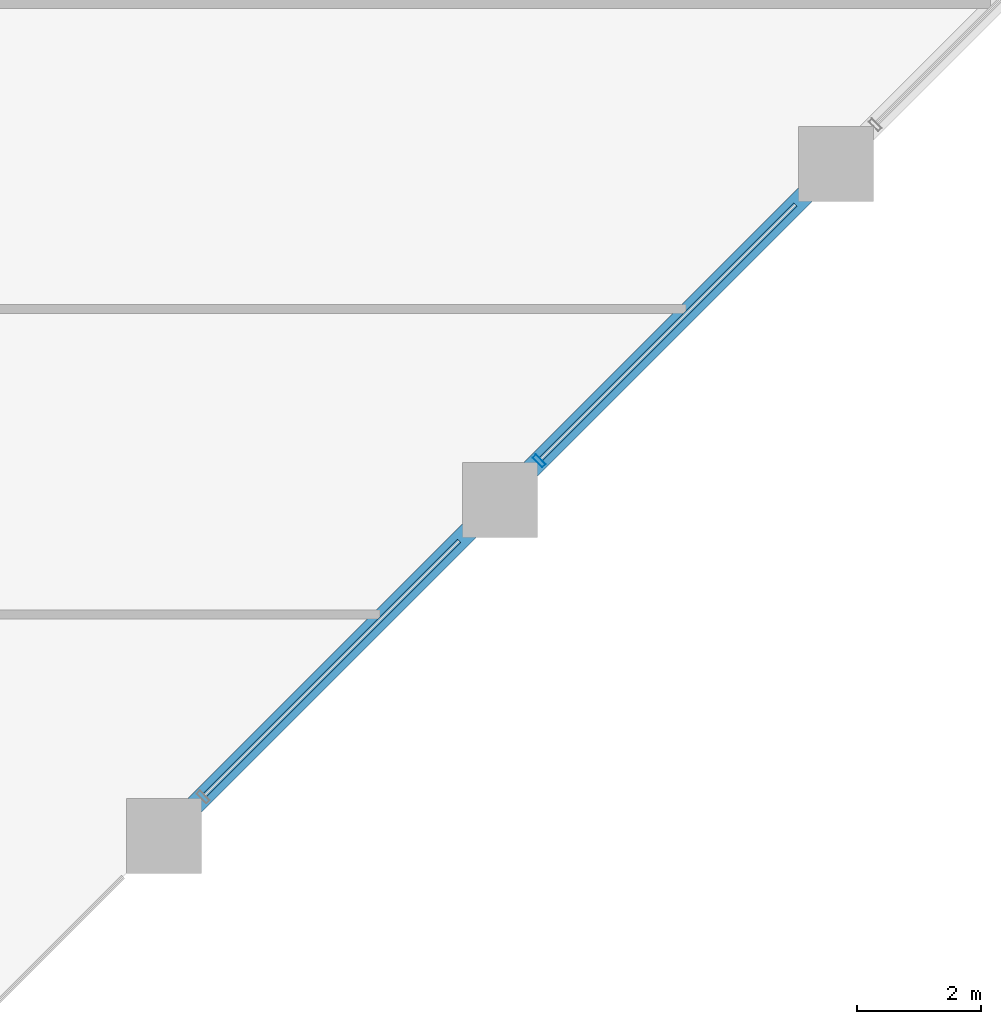
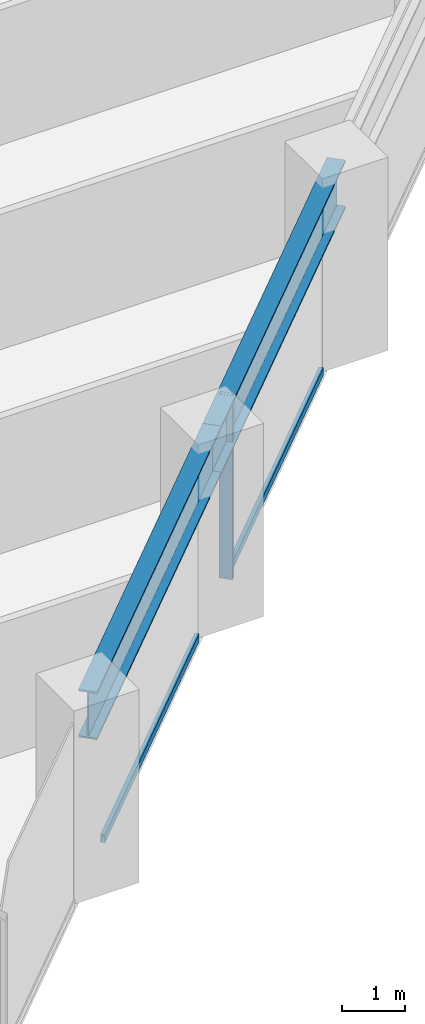
# One storey, part 8 of 26: 3 members, 2 beams, 1 element without a shape of its own.
"""IFC4 building model written with IfcOpenShell, lengths in metres."""

import ifcopenshell
import ifcopenshell.guid

model = None  # the IFC model being written
_history = None  # IfcOwnerHistory: only IFC2X3 demands one
_inside = {}  # id of a spatial element -> (the spatial element, [elements in it])
_under = {}  # id of a project, library or spatial element -> (it, [spatial elements below it])
_declared = {}  # id of a project -> (the project, [libraries it declares])
_typed = {}  # id of a type object -> (the type object, [elements of that type])
_made_of = {}  # id of a material, layer set ... -> (it, [elements and type objects made of it])


def new_model(schema):
    """Start an empty IFC model of exactly this schema.

    Asked for "IFC4X3", IfcOpenShell would pick the latest addendum, in which some entities
    have other attributes; the version numbers below select the first issue.
    IFC2X3 requires an IfcOwnerHistory on every rooted entity: one is made here for all.
    """
    global model, _history
    if schema == "IFC4X3":
        model = ifcopenshell.file(schema_version=(4, 3, 0, 0))
    else:
        model = ifcopenshell.file(schema=schema)
    _inside.clear()
    _under.clear()
    _declared.clear()
    _typed.clear()
    _made_of.clear()
    _history = None
    if model.schema == "IFC2X3":
        org = make("IfcOrganization", Name="unknown")
        user = make(
            "IfcPersonAndOrganization",
            ThePerson=make("IfcPerson", FamilyName="unknown"),
            TheOrganization=org,
        )
        app = make(
            "IfcApplication",
            ApplicationDeveloper=org,
            Version="unknown",
            ApplicationFullName="unknown",
            ApplicationIdentifier="unknown",
        )
        _history = make(
            "IfcOwnerHistory",
            OwningUser=user,
            OwningApplication=app,
            ChangeAction="ADDED",
            CreationDate=0,
        )
    return model


def make(cls, **values):
    """One entity of the class cls with the attributes given. An attribute that is None is left unset."""
    return model.create_entity(
        cls, **{name: value for name, value in values.items() if value is not None}
    )


def rooted(cls, **values):
    """An entity with a GlobalId (a new one), such as an element, a storey or a relation."""
    return make(cls, GlobalId=ifcopenshell.guid.new(), OwnerHistory=_history, **values)


def si_unit(unit_type, name, prefix=None):
    """IfcSIUnit, for example si_unit("LENGTHUNIT", "METRE", prefix="MILLI")."""
    return make("IfcSIUnit", UnitType=unit_type, Prefix=prefix, Name=name)


def assignment(units):
    """IfcUnitAssignment: the units of a project."""
    return None if units is None else make("IfcUnitAssignment", Units=units)


def point(xyz):
    """IfcCartesianPoint."""
    return None if xyz is None else make("IfcCartesianPoint", Coordinates=xyz)


def direction(xyz):
    """IfcDirection."""
    return None if xyz is None else make("IfcDirection", DirectionRatios=xyz)


def frame(location, z_axis=None, x_axis=None):
    """IfcAxis2Placement3D, a coordinate frame: its origin and axes. An axis left out is left unset."""
    return make(
        "IfcAxis2Placement3D",
        Location=point(location),
        Axis=direction(z_axis),
        RefDirection=direction(x_axis),
    )


def frame_2d(location, x_axis=None):
    """IfcAxis2Placement2D, a coordinate frame in the plane: its origin and x axis."""
    return make(
        "IfcAxis2Placement2D", Location=point(location), RefDirection=direction(x_axis)
    )


def origin():
    """The frame at (0, 0, 0) with its axes left unset."""
    return frame((0.0, 0.0, 0.0))


def origin_2d():
    """The frame at (0, 0) in the plane with its x axis left unset."""
    return frame_2d((0.0, 0.0))


def place(relative_to, where):
    """IfcLocalPlacement: puts the frame where relative to a parent placement (None: the world)."""
    return make(
        "IfcLocalPlacement", PlacementRelTo=relative_to, RelativePlacement=where
    )


def context(
    kind, dimensions, precision=None, world=None, true_north=None, identifier=None
):
    """IfcGeometricRepresentationContext, for example the 3D "Model" context."""
    return make(
        "IfcGeometricRepresentationContext",
        ContextIdentifier=identifier,
        ContextType=kind,
        CoordinateSpaceDimension=dimensions,
        Precision=precision,
        WorldCoordinateSystem=world,
        TrueNorth=true_north,
    )


def subcontext(parent, identifier, kind, view, scale=None):
    """IfcGeometricRepresentationSubContext, for example "Body" below "Model"."""
    return make(
        "IfcGeometricRepresentationSubContext",
        ContextIdentifier=identifier,
        ContextType=kind,
        ParentContext=parent,
        TargetScale=scale,
        TargetView=view,
    )


def project(units=None, contexts=None):
    """IfcProject with its units and contexts."""
    return rooted(
        "IfcProject",
        Name="project",
        RepresentationContexts=contexts,
        UnitsInContext=assignment(units),
    )


def spatial(cls, under=None, at=None, **own):
    """A site, building, storey or space (cls), placed at a placement, below another one or the project."""
    s = rooted(cls, ObjectPlacement=at, **own)
    if under is not None:
        _under.setdefault(under.id(), (under, []))[1].append(s)
    return s


def profile(cls, at=None, kind="AREA", **sizes):
    """A parametric profile (cls). Its sizes go by their IFC names, for example OverallWidth=200.0."""
    return make(cls, ProfileType=kind, Position=at, **sizes)


def hollow_rectangle(**sizes):
    """IfcRectangleHollowProfileDef."""
    return profile("IfcRectangleHollowProfileDef", **sizes)


def i_section(**sizes):
    """IfcIShapeProfileDef."""
    return profile("IfcIShapeProfileDef", **sizes)


def extrude(swept, where, along, depth):
    """IfcExtrudedAreaSolid: the profile swept, set in the frame where, extruded along a direction by depth."""
    return make(
        "IfcExtrudedAreaSolid",
        SweptArea=swept,
        Position=where,
        ExtrudedDirection=direction(along),
        Depth=depth,
    )


def shape(context_of_items, identifier, shape_type, items):
    """IfcShapeRepresentation: the items that make up one representation, for example the "Body"."""
    return make(
        "IfcShapeRepresentation",
        ContextOfItems=context_of_items,
        RepresentationIdentifier=identifier,
        RepresentationType=shape_type,
        Items=items,
    )


def material(Name=None, Category=None):
    """IfcMaterial."""
    return make("IfcMaterial", Name=Name, Category=Category)


def layer(
    of_material, thickness, ventilated=None, Name=None, Category=None, Priority=None
):
    """IfcMaterialLayer: one layer of a wall or slab, of a material (None: an air gap)."""
    return make(
        "IfcMaterialLayer",
        Material=of_material,
        LayerThickness=thickness,
        IsVentilated=ventilated,
        Name=Name,
        Category=Category,
        Priority=Priority,
    )


def layer_set(layers, Name=None):
    """IfcMaterialLayerSet."""
    return make("IfcMaterialLayerSet", MaterialLayers=layers, LayerSetName=Name)


def material_profile(
    of_material, cross_section, Name=None, Category=None, Priority=None
):
    """IfcMaterialProfile: a cross section and its material."""
    return make(
        "IfcMaterialProfile",
        Name=Name,
        Material=of_material,
        Profile=cross_section,
        Priority=Priority,
        Category=Category,
    )


def profile_set(profiles, Name=None, composite=None):
    """IfcMaterialProfileSet."""
    return make(
        "IfcMaterialProfileSet",
        Name=Name,
        MaterialProfiles=profiles,
        CompositeProfile=composite,
    )


def made_of(thing, what):
    """Note that an element or type object is made of a material, layer set ...; save() writes the relation."""
    if what is not None:
        _made_of.setdefault(what.id(), (what, []))[1].append(thing)
    return thing


def type_object(cls, material=None, **own):
    """A type object (cls), such as IfcWallType, which elements share."""
    return made_of(rooted(cls, **own), material)


def element(
    cls,
    number,
    at=None,
    inside=None,
    cuts=None,
    type_object=None,
    material=None,
    context=None,
    identifier="Body",
    shape_type=None,
    held_by="IfcProductDefinitionShape",
    body=None,
    shapes=None,
    **own,
):
    """One element of the class cls, such as IfcWall. Its Tag is "e" and its number.

    at: its placement. inside: the storey or other place that contains it. cuts: it is an
    opening in that element (IfcRelVoidsElement). A single representation is given by context,
    identifier, shape_type and body (its items); several are given by shapes. held_by: the class
    of the entity that holds the representations. save() writes the other relations.
    """
    e = rooted(cls, Tag="e%d" % number, ObjectPlacement=at, **own)
    if body is not None:
        shapes = [shape(context, identifier, shape_type, body)]
    if shapes is not None:
        e.Representation = make(held_by, Representations=shapes)
    if inside is not None:
        _inside.setdefault(inside.id(), (inside, []))[1].append(e)
    if cuts is not None:
        rooted(
            "IfcRelVoidsElement", RelatingBuildingElement=cuts, RelatedOpeningElement=e
        )
    if type_object is not None:
        _typed.setdefault(type_object.id(), (type_object, []))[1].append(e)
    return made_of(e, material)


def aggregate(whole, parts):
    """IfcRelAggregates: a whole, such as a stair, and the parts it consists of."""
    return rooted("IfcRelAggregates", RelatingObject=whole, RelatedObjects=parts)


def save(model, path):
    """Write the relations noted so far, then the file.

    IfcRelAggregates (storeys below a building ...), IfcRelContainedInSpatialStructure (elements
    in a storey), IfcRelDefinesByType, IfcRelAssociatesMaterial and IfcRelDeclares: one each for
    every whole, place, type object, material and project.
    """
    for whole, parts in _under.values():
        aggregate(whole, parts)
    for where, things in _inside.values():
        rooted(
            "IfcRelContainedInSpatialStructure",
            RelatedElements=things,
            RelatingStructure=where,
        )
    for kind, things in _typed.values():
        rooted("IfcRelDefinesByType", RelatedObjects=things, RelatingType=kind)
    for what, things in _made_of.values():
        rooted("IfcRelAssociatesMaterial", RelatedObjects=things, RelatingMaterial=what)
    for by, libraries in _declared.values():
        rooted("IfcRelDeclares", RelatingContext=by, RelatedDefinitions=libraries)
    model.write(path)


model = new_model("IFC4")

# Units and contexts
model_context = context("Model", 3, precision=1e-05, world=origin(), true_north=direction((0.0, 1.0)))
body_context = subcontext(model_context, "Body", "Model", "MODEL_VIEW")
ifc_project = project(units=[si_unit("LENGTHUNIT", "METRE"), si_unit("AREAUNIT", "SQUARE_METRE"), si_unit("VOLUMEUNIT", "CUBIC_METRE"), si_unit("PLANEANGLEUNIT", "RADIAN"), si_unit("MASSUNIT", "GRAM", prefix="KILO")], contexts=[model_context])

# Site, building, storey
site_placement = place(None, origin())
site = spatial("IfcSite", under=ifc_project, at=site_placement, CompositionType="ELEMENT")
building_placement = place(site_placement, origin())
building = spatial("IfcBuilding", under=site, at=building_placement, Name="Surkhivell Harbour Commons", CompositionType="ELEMENT")
storey_placement = place(building_placement, frame((0.0, 0.0, 71.25)))
storey = spatial("IfcBuildingStorey", under=building, at=storey_placement, Name="L18", CompositionType="ELEMENT", Elevation=71.25)

# Beams
ifc_material_1 = material(Name="Steel S460", Category="steel")
ifc_material_profile_1 = material_profile(ifc_material_1, i_section(OverallWidth=0.30810546875, OverallDepth=0.927001953125, WebThickness=0.01953125, FlangeThickness=0.031982421875, at=origin_2d()), Name="UB914x305x289")
ifc_profile_set_1 = profile_set([ifc_material_profile_1], Name="Steel S460")
beam_type = type_object("IfcBeamType", Name="BM-SPN-914B", PredefinedType="SPANDREL", material=ifc_profile_set_1)
for number, where, z_axis, x_axis, name in (
    (1, (16.199951171875, -9.699951171875, 3.1064453125), (0.707122765516, 0.707090796496, 0.0), (-0.707090796496, 0.707122765516, 0.0), "L18 Tube Spandrel (16.2,-9.7)"),
    (2, (21.60009765625, -4.300048828125, 3.1064453125), (0.707090796496, 0.707122765516, 0.0), (-0.707122765516, 0.707090796496, 0.0), "L18 Tube Spandrel (21.6,-4.3)"),
):
    element("IfcBeam", number, at=place(storey_placement, frame(where, z_axis=z_axis, x_axis=x_axis)), inside=storey, type_object=beam_type, Name=name, PredefinedType="SPANDREL", context=body_context, shape_type="SweptSolid", body=[
        extrude(i_section(OverallWidth=0.30810546875, OverallDepth=0.927001953125, WebThickness=0.01953125, FlangeThickness=0.031982421875, at=origin_2d()), origin(), (0.0, 0.0, 1.0), 7.63671875),
    ])

# Curtain wall, members
ifc_material_2 = material(Name="Anodised pale-metal aluminium and insulated glazing", Category="aluminium")
ifc_layer = layer(ifc_material_2, 0.219970703125)
ifc_layer_set = layer_set([ifc_layer], Name="Anodised pale-metal aluminium and insulated glazing")
curtain_wall_type = type_object("IfcCurtainWallType", Name="CW-SYS-Z1", PredefinedType="NOTDEFINED", material=ifc_layer_set)
curtain_wall_placement = place(storey_placement, origin())
curtain_wall = element("IfcCurtainWall", 3, at=curtain_wall_placement, inside=storey, type_object=curtain_wall_type, Name="L18 Curtain Wall CW-L18-E01", PredefinedType="NOTDEFINED")
ifc_material_3 = material(Name="Anodised pale-metal aluminium alloy 6063-T6", Category="aluminium")
ifc_material_profile_2 = material_profile(ifc_material_3, hollow_rectangle(XDim=0.074951171875, YDim=0.219970703125, WallThickness=0.00390625, at=origin_2d()), Name="ALU-MULL-75x220")
ifc_profile_set_2 = profile_set([ifc_material_profile_2], Name="Anodised pale-metal aluminium alloy 6063-T6")
member_type_1 = type_object("IfcMemberType", Name="CWM-220", PredefinedType="MULLION", material=ifc_profile_set_2)
member_1_placement = place(storey_placement, frame((22.228271484375, -3.671630859375, 0.0), z_axis=(0.0, 0.0, 1.0), x_axis=(0.707106781187, 0.707106781187, 0.0)))
member_1 = element("IfcMember", 4, at=member_1_placement, type_object=member_type_1, Name="CW-Z1 mullion 6", PredefinedType="MULLION", context=body_context, shape_type="SweptSolid", body=[
    extrude(hollow_rectangle(XDim=0.074951171875, YDim=0.219970703125, WallThickness=0.00390625, at=origin_2d()), origin(), (0.0, 0.0, 1.0), 3.570068359375),
])
ifc_material_profile_3 = material_profile(ifc_material_3, hollow_rectangle(XDim=0.074951171875, YDim=0.14990234375, WallThickness=0.00341796875, at=origin_2d()), Name="ALU-TRAN-75x150")
ifc_profile_set_3 = profile_set([ifc_material_profile_3], Name="Anodised pale-metal aluminium alloy 6063-T6")
member_type_2 = type_object("IfcMemberType", Name="CWT-150", PredefinedType="USERDEFINED", material=ifc_profile_set_3)
member_2_placement = place(storey_placement, frame((16.854736328125, -9.045166015625, 0.074951171875), z_axis=(0.707127882868, 0.707085678876, 0.0), x_axis=(-0.707085678876, 0.707127882868, 0.0)))
member_2 = element("IfcMember", 5, at=member_2_placement, type_object=member_type_2, Name="CW-Z1 transom 5.1", ObjectType="TRANSOM", PredefinedType="USERDEFINED", context=body_context, shape_type="SweptSolid", body=[
    extrude(hollow_rectangle(XDim=0.074951171875, YDim=0.14990234375, WallThickness=0.00341796875, at=origin_2d()), origin(), (0.0, 0.0, 1.0), 5.78466796875),
])
member_3_placement = place(storey_placement, frame((22.2548828125, -3.645263671875, 0.074951171875), z_axis=(0.707085678876, 0.707127882868, 0.0), x_axis=(-0.707127882868, 0.707085678876, 0.0)))
member_3 = element("IfcMember", 6, at=member_3_placement, type_object=member_type_2, Name="CW-Z1 transom 6.1", ObjectType="TRANSOM", PredefinedType="USERDEFINED", context=body_context, shape_type="SweptSolid", body=[
    extrude(hollow_rectangle(XDim=0.074951171875, YDim=0.14990234375, WallThickness=0.00341796875, at=origin_2d()), origin(), (0.0, 0.0, 1.0), 5.78466796875),
])
aggregate(curtain_wall, [member_2, member_1, member_3])

save(model, "model.ifc")
